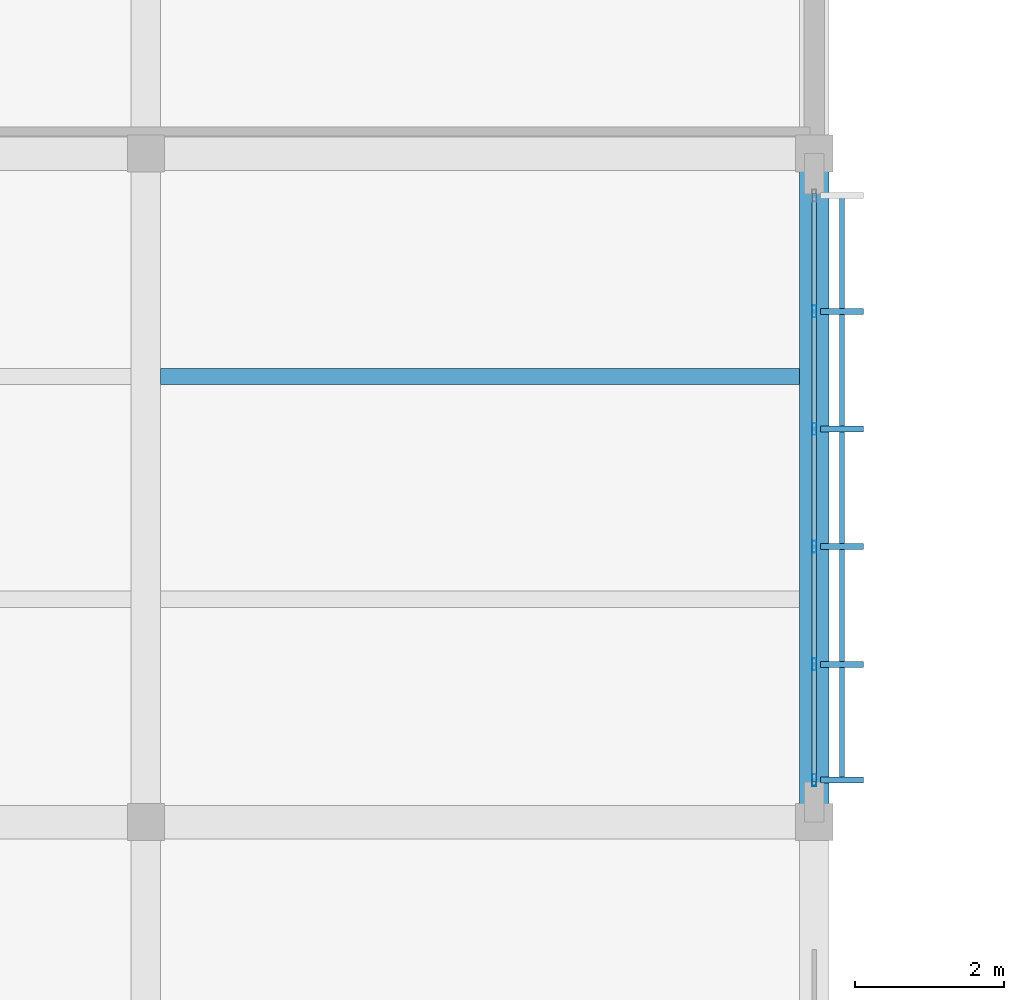
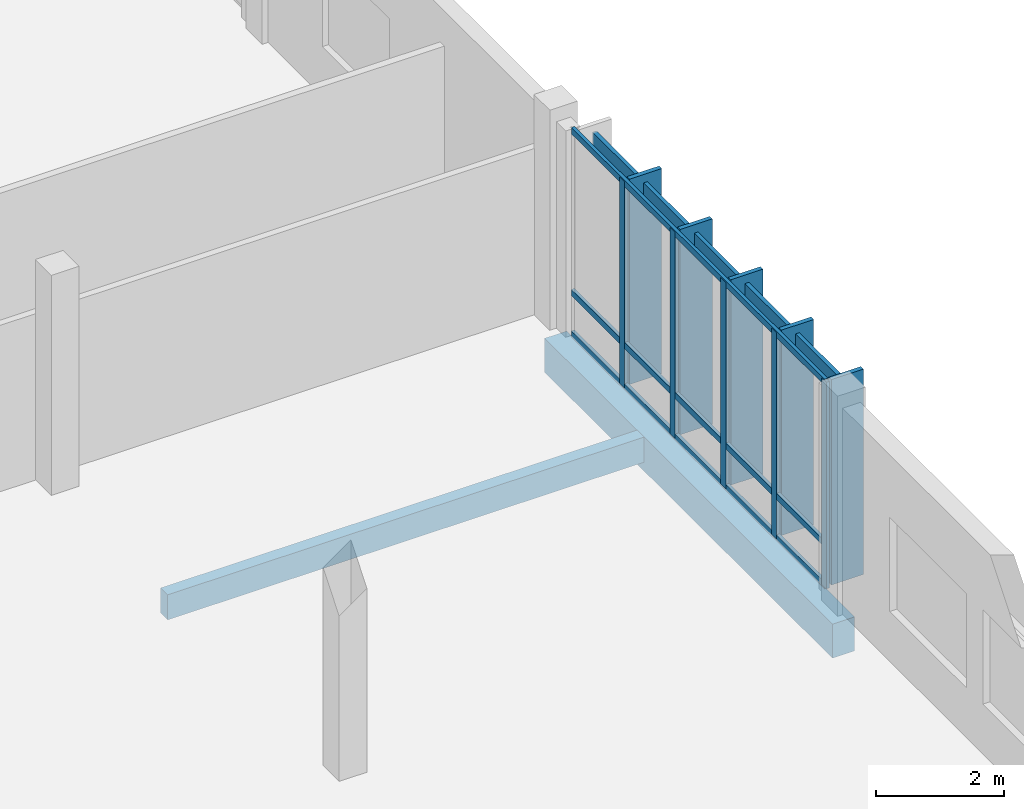
# One storey, part 121 of 182: 14 members, 2 beams, 1 element without a shape of its own.
"""IFC4 building model written with IfcOpenShell, lengths in metres."""

from ifc_helpers import new_model, si_unit, direction, frame, origin, origin_2d, place, context, subcontext, project, spatial, rectangle, hollow_rectangle, extrude, material, material_profile, profile_set, type_object, element, aggregate, save


model = new_model("IFC4")

# Units and contexts
model_context = context("Model", 3, precision=1e-05, world=origin(), true_north=direction((0.0, 1.0)))
body_context = subcontext(model_context, "Body", "Model", "MODEL_VIEW")
ifc_project = project(units=[si_unit("LENGTHUNIT", "METRE"), si_unit("AREAUNIT", "SQUARE_METRE"), si_unit("VOLUMEUNIT", "CUBIC_METRE"), si_unit("PLANEANGLEUNIT", "RADIAN"), si_unit("MASSUNIT", "GRAM", prefix="KILO")], contexts=[model_context])

# Site, building, storey
site_placement = place(None, origin())
site = spatial("IfcSite", under=ifc_project, at=site_placement, CompositionType="ELEMENT")
building_placement = place(site_placement, origin())
building = spatial("IfcBuilding", under=site, at=building_placement, Name="Chiffa Square Polytechnic", CompositionType="ELEMENT")
storey_placement = place(building_placement, frame((0.0, 0.0, 9.60009765625)))
storey = spatial("IfcBuildingStorey", under=building, at=storey_placement, Name="L02", CompositionType="ELEMENT", Elevation=9.60009765625)

# Beam
ifc_material_1 = material(Name="Concrete C35/45", Category="concrete")
ifc_material_profile_1 = material_profile(ifc_material_1, rectangle(XDim=0.39990234375, YDim=0.64990234375, at=origin_2d()), Name="RC 400x650")
ifc_profile_set_1 = profile_set([ifc_material_profile_1], Name="Concrete C35/45")
beam_type_1 = type_object("IfcBeamType", Name="BM-RC-400X650", PredefinedType="BEAM", material=ifc_profile_set_1)
beam_1_placement = place(storey_placement, frame((148.199951171875, 103.800048828125, -0.64501953125), z_axis=(0.0, 1.0, 0.0), x_axis=(-1.0, 0.0, 0.0)))
element("IfcBeam", 1, at=beam_1_placement, inside=storey, type_object=beam_type_1, Name="Primary floor girder BM-V5-L02-Y-1482-1038", PredefinedType="BEAM", context=body_context, shape_type="SweptSolid", body=[
    extrude(rectangle(XDim=0.39990234375, YDim=0.64990234375, at=origin_2d()), origin(), (0.0, 0.0, 1.0), 9.0),
])

# Curtain wall, members
ifc_material_2 = material(Name="Aluminium EN AW-6060 T66 and glulam shading", Category="wood")
curtain_wall_type = type_object("IfcCurtainWallType", Name="CW-VERT-540X440", PredefinedType="USERDEFINED", material=ifc_material_2)
curtain_wall_placement = place(storey_placement, origin())
curtain_wall = element("IfcCurtainWall", 2, at=curtain_wall_placement, inside=storey, type_object=curtain_wall_type, Name="Curtain wall CW-V5-L02-215", ObjectType="CURTAIN WALL", PredefinedType="USERDEFINED")
ifc_material_3 = material(Name="Aluminium EN AW-6060 T66", Category="aluminium")
ifc_material_profile_2 = material_profile(ifc_material_3, hollow_rectangle(XDim=0.06005859375, YDim=0.159912109375, WallThickness=0.00390625, at=origin_2d()), Name="ALU 60x160x4")
ifc_profile_set_2 = profile_set([ifc_material_profile_2], Name="Aluminium EN AW-6060 T66")
member_type_1 = type_object("IfcMemberType", Name="CWM-ALU-65X150", PredefinedType="MULLION", material=ifc_profile_set_2)
member_1_placement = place(storey_placement, frame((148.199951171875, 104.364990234375, 0.0), z_axis=(0.0, 0.0, 1.0), x_axis=(1.0, 0.0, 0.0)))
member_1 = element("IfcMember", 3, at=member_1_placement, type_object=member_type_1, Name="Curtain wall mullion CW-V5-L02-215-M00", PredefinedType="MULLION", context=body_context, shape_type="SweptSolid", body=[
    extrude(hollow_rectangle(XDim=0.06005859375, YDim=0.159912109375, WallThickness=0.00390625, at=origin_2d()), origin(), (0.0, 0.0, 1.0), 3.93994140625),
])
member_2_placement = place(storey_placement, frame((148.199951171875, 105.924072265625, 0.0), z_axis=(0.0, 0.0, 1.0), x_axis=(1.0, 0.0, 0.0)))
member_2 = element("IfcMember", 4, at=member_2_placement, type_object=member_type_1, Name="Curtain wall mullion CW-V5-L02-215-M01", PredefinedType="MULLION", context=body_context, shape_type="SweptSolid", body=[
    extrude(hollow_rectangle(XDim=0.06005859375, YDim=0.159912109375, WallThickness=0.00390625, at=origin_2d()), origin(), (0.0, 0.0, 1.0), 3.93994140625),
])
member_3_placement = place(storey_placement, frame((148.199951171875, 107.508056640625, 0.0), z_axis=(0.0, 0.0, 1.0), x_axis=(1.0, 0.0, 0.0)))
member_3 = element("IfcMember", 5, at=member_3_placement, type_object=member_type_1, Name="Curtain wall mullion CW-V5-L02-215-M02", PredefinedType="MULLION", context=body_context, shape_type="SweptSolid", body=[
    extrude(hollow_rectangle(XDim=0.06005859375, YDim=0.159912109375, WallThickness=0.00390625, at=origin_2d()), origin(), (0.0, 0.0, 1.0), 3.93994140625),
])
member_4_placement = place(storey_placement, frame((148.199951171875, 109.092041015625, 0.0), z_axis=(0.0, 0.0, 1.0), x_axis=(1.0, 0.0, 0.0)))
member_4 = element("IfcMember", 6, at=member_4_placement, type_object=member_type_1, Name="Curtain wall mullion CW-V5-L02-215-M03", PredefinedType="MULLION", context=body_context, shape_type="SweptSolid", body=[
    extrude(hollow_rectangle(XDim=0.06005859375, YDim=0.159912109375, WallThickness=0.00390625, at=origin_2d()), origin(), (0.0, 0.0, 1.0), 3.93994140625),
])
member_5_placement = place(storey_placement, frame((148.199951171875, 110.676025390625, 0.0), z_axis=(0.0, 0.0, 1.0), x_axis=(1.0, 0.0, 0.0)))
member_5 = element("IfcMember", 7, at=member_5_placement, type_object=member_type_1, Name="Curtain wall mullion CW-V5-L02-215-M04", PredefinedType="MULLION", context=body_context, shape_type="SweptSolid", body=[
    extrude(hollow_rectangle(XDim=0.06005859375, YDim=0.159912109375, WallThickness=0.00390625, at=origin_2d()), origin(), (0.0, 0.0, 1.0), 3.93994140625),
])
ifc_material_4 = material(Name="Glulam GL28h", Category="wood")
ifc_material_profile_3 = material_profile(ifc_material_4, rectangle(XDim=0.080078125, YDim=0.580078125, at=origin_2d()), Name="GL28h 80x580")
ifc_profile_set_3 = profile_set([ifc_material_profile_3], Name="Glulam GL28h")
member_type_2 = type_object("IfcMemberType", Name="CWM-GL-80X580", PredefinedType="MULLION", material=ifc_profile_set_3)
member_6_placement = place(storey_placement, frame((148.572021484375, 104.364990234375, 0.010009765625), z_axis=(0.0, 0.0, 1.0), x_axis=(0.0, 1.0, 0.0)))
member_6 = element("IfcMember", 8, at=member_6_placement, type_object=member_type_2, Name="Exterior glulam solar fin CW-V5-L02-215-FN00", PredefinedType="MULLION", context=body_context, shape_type="SweptSolid", body=[
    extrude(rectangle(XDim=0.080078125, YDim=0.580078125, at=origin_2d()), origin(), (0.0, 0.0, 1.0), 3.919921875),
])
member_7_placement = place(storey_placement, frame((148.572021484375, 105.924072265625, 0.010009765625), z_axis=(0.0, 0.0, 1.0), x_axis=(0.0, 1.0, 0.0)))
member_7 = element("IfcMember", 9, at=member_7_placement, type_object=member_type_2, Name="Exterior glulam solar fin CW-V5-L02-215-FN01", PredefinedType="MULLION", context=body_context, shape_type="SweptSolid", body=[
    extrude(rectangle(XDim=0.080078125, YDim=0.580078125, at=origin_2d()), origin(), (0.0, 0.0, 1.0), 3.919921875),
])
member_8_placement = place(storey_placement, frame((148.572021484375, 107.508056640625, 0.010009765625), z_axis=(0.0, 0.0, 1.0), x_axis=(0.0, 1.0, 0.0)))
member_8 = element("IfcMember", 10, at=member_8_placement, type_object=member_type_2, Name="Exterior glulam solar fin CW-V5-L02-215-FN02", PredefinedType="MULLION", context=body_context, shape_type="SweptSolid", body=[
    extrude(rectangle(XDim=0.080078125, YDim=0.580078125, at=origin_2d()), origin(), (0.0, 0.0, 1.0), 3.919921875),
])
member_9_placement = place(storey_placement, frame((148.572021484375, 109.092041015625, 0.010009765625), z_axis=(0.0, 0.0, 1.0), x_axis=(0.0, 1.0, 0.0)))
member_9 = element("IfcMember", 11, at=member_9_placement, type_object=member_type_2, Name="Exterior glulam solar fin CW-V5-L02-215-FN03", PredefinedType="MULLION", context=body_context, shape_type="SweptSolid", body=[
    extrude(rectangle(XDim=0.080078125, YDim=0.580078125, at=origin_2d()), origin(), (0.0, 0.0, 1.0), 3.919921875),
])
member_10_placement = place(storey_placement, frame((148.572021484375, 110.676025390625, 0.010009765625), z_axis=(0.0, 0.0, 1.0), x_axis=(0.0, 1.0, 0.0)))
member_10 = element("IfcMember", 12, at=member_10_placement, type_object=member_type_2, Name="Exterior glulam solar fin CW-V5-L02-215-FN04", PredefinedType="MULLION", context=body_context, shape_type="SweptSolid", body=[
    extrude(rectangle(XDim=0.080078125, YDim=0.580078125, at=origin_2d()), origin(), (0.0, 0.0, 1.0), 3.919921875),
])
ifc_material_profile_4 = material_profile(ifc_material_3, hollow_rectangle(XDim=0.06005859375, YDim=0.1201171875, WallThickness=0.00390625, at=origin_2d()), Name="ALU 60x120x4")
ifc_profile_set_4 = profile_set([ifc_material_profile_4], Name="Aluminium EN AW-6060 T66")
member_type_3 = type_object("IfcMemberType", Name="CWT-ALU-65X120", PredefinedType="USERDEFINED", material=ifc_profile_set_4)
member_11_placement = place(storey_placement, frame((148.199951171875, 104.337890625, 0.02978515625), z_axis=(0.0, 1.0, 0.0), x_axis=(-1.0, 0.0, 0.0)))
member_11 = element("IfcMember", 13, at=member_11_placement, type_object=member_type_3, Name="Curtain wall transom CW-V5-L02-215-T01", ObjectType="TRANSOM", PredefinedType="USERDEFINED", context=body_context, shape_type="SweptSolid", body=[
    extrude(hollow_rectangle(XDim=0.06005859375, YDim=0.1201171875, WallThickness=0.00390625, at=origin_2d()), origin(), (0.0, 0.0, 1.0), 7.924072265625),
])
member_12_placement = place(storey_placement, frame((148.199951171875, 104.337890625, 0.81982421875), z_axis=(0.0, 1.0, 0.0), x_axis=(-1.0, 0.0, 0.0)))
member_12 = element("IfcMember", 14, at=member_12_placement, type_object=member_type_3, Name="Curtain wall transom CW-V5-L02-215-T02", ObjectType="TRANSOM", PredefinedType="USERDEFINED", context=body_context, shape_type="SweptSolid", body=[
    extrude(hollow_rectangle(XDim=0.06005859375, YDim=0.1201171875, WallThickness=0.00390625, at=origin_2d()), origin(), (0.0, 0.0, 1.0), 7.924072265625),
])
member_13_placement = place(storey_placement, frame((148.199951171875, 104.337890625, 3.909912109375), z_axis=(0.0, 1.0, 0.0), x_axis=(-1.0, 0.0, 0.0)))
member_13 = element("IfcMember", 15, at=member_13_placement, type_object=member_type_3, Name="Curtain wall transom CW-V5-L02-215-T03", ObjectType="TRANSOM", PredefinedType="USERDEFINED", context=body_context, shape_type="SweptSolid", body=[
    extrude(hollow_rectangle(XDim=0.06005859375, YDim=0.1201171875, WallThickness=0.00390625, at=origin_2d()), origin(), (0.0, 0.0, 1.0), 7.924072265625),
])
ifc_material_profile_5 = material_profile(ifc_material_4, rectangle(XDim=0.070068359375, YDim=0.419921875, at=origin_2d()), Name="GL28h 70x420")
ifc_profile_set_5 = profile_set([ifc_material_profile_5], Name="Glulam GL28h")
member_type_4 = type_object("IfcMemberType", Name="CWT-GL-70X420", PredefinedType="USERDEFINED", material=ifc_profile_set_5)
member_14_placement = place(storey_placement, frame((148.572021484375, 104.364990234375, 3.559814453125), z_axis=(0.0, 1.0, 0.0), x_axis=(-1.0, 0.0, 0.0)))
member_14 = element("IfcMember", 16, at=member_14_placement, type_object=member_type_4, Name="Exterior glulam brise-soleil CW-V5-L02-215-BS01", ObjectType="TRANSOM", PredefinedType="USERDEFINED", context=body_context, shape_type="SweptSolid", body=[
    extrude(rectangle(XDim=0.070068359375, YDim=0.419921875, at=origin_2d()), origin(), (0.0, 0.0, 1.0), 7.8701171875),
])
aggregate(curtain_wall, [member_1, member_6, member_2, member_7, member_3, member_8, member_4, member_9, member_5, member_10, member_11, member_12, member_13, member_14])

# Beam
ifc_material_profile_6 = material_profile(ifc_material_4, rectangle(XDim=0.219970703125, YDim=0.47998046875, at=origin_2d()), Name="GL28h 220x480")
ifc_profile_set_6 = profile_set([ifc_material_profile_6], Name="Glulam GL28h")
beam_type_2 = type_object("IfcBeamType", Name="JST-GL-220X480", PredefinedType="JOIST", material=ifc_profile_set_6)
beam_2_placement = place(storey_placement, frame((139.39794921875, 109.800048828125, -0.56005859375), z_axis=(1.0, 0.0, 0.0), x_axis=(0.0, 1.0, 0.0)))
element("IfcBeam", 17, at=beam_2_placement, inside=storey, type_object=beam_type_2, Name="Secondary floor joist JST-V5-L02-1392-1098", PredefinedType="JOIST", context=body_context, shape_type="SweptSolid", body=[
    extrude(rectangle(XDim=0.219970703125, YDim=0.47998046875, at=origin_2d()), origin(), (0.0, 0.0, 1.0), 8.60400390625),
])

save(model, "model.ifc")
